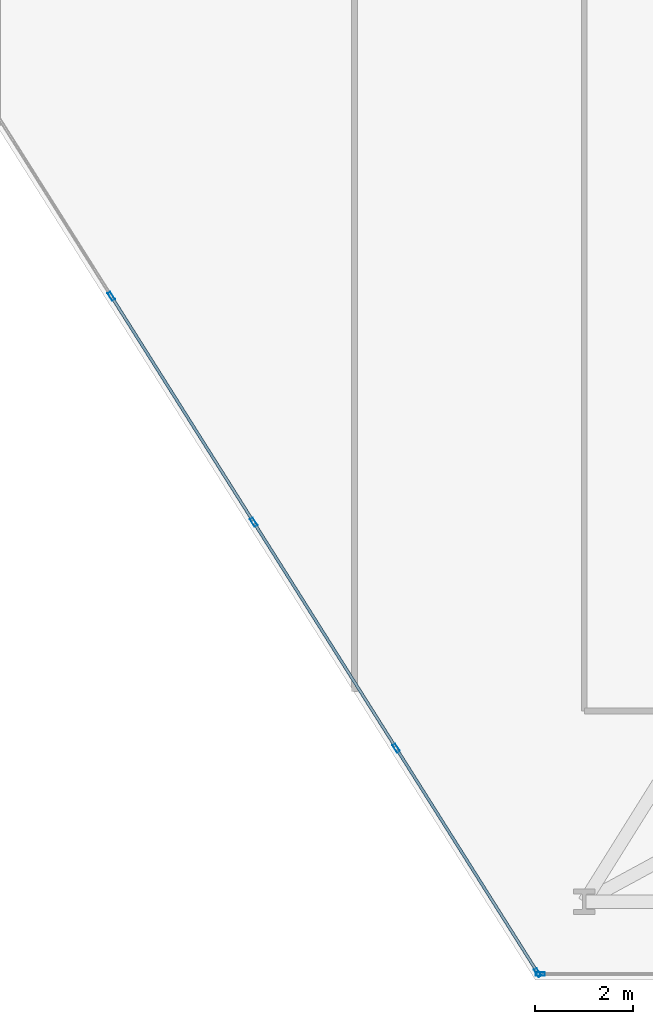
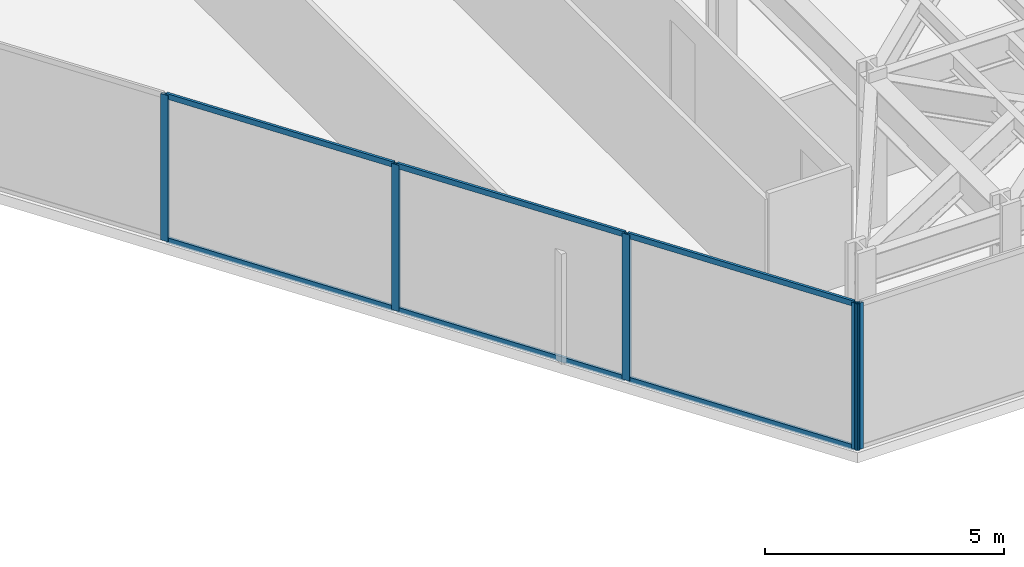
# One storey, part 12 of 24: 11 members, 2 elements without a shape of their own.
"""IFC4 building model written with IfcOpenShell, lengths in metres."""

from ifc_helpers import new_model, si_unit, direction, frame, origin, origin_2d, place, context, subcontext, project, spatial, hollow_rectangle, extrude, material, layer, layer_set, material_profile, profile_set, type_object, element, aggregate, save


model = new_model("IFC4")

# Units and contexts
model_context = context("Model", 3, precision=1e-05, world=origin(), true_north=direction((0.0, 1.0)))
body_context = subcontext(model_context, "Body", "Model", "MODEL_VIEW")
ifc_project = project(units=[si_unit("LENGTHUNIT", "METRE"), si_unit("AREAUNIT", "SQUARE_METRE"), si_unit("VOLUMEUNIT", "CUBIC_METRE"), si_unit("PLANEANGLEUNIT", "RADIAN"), si_unit("MASSUNIT", "GRAM", prefix="KILO")], contexts=[model_context])

# Site, building, storey
site_placement = place(None, origin())
site = spatial("IfcSite", under=ifc_project, at=site_placement, CompositionType="ELEMENT")
building_placement = place(site_placement, origin())
building = spatial("IfcBuilding", under=site, at=building_placement, Name="Kravanh Interchange Tower", CompositionType="ELEMENT")
storey_placement = place(building_placement, frame((0.0, 0.0, 53.5)))
storey = spatial("IfcBuildingStorey", under=building, at=storey_placement, Name="L12", CompositionType="ELEMENT", Elevation=53.5)

# Curtain wall, member
ifc_material_1 = material(Name="Anodised Bronze Aluminium", Category="aluminium")
ifc_layer = layer(ifc_material_1, 0.179931640625)
ifc_layer_set = layer_set([ifc_layer], Name="Unitised Curtain Wall System CW-Z1 Lower Office")
curtain_wall_type = type_object("IfcCurtainWallType", Name="Unitised Curtain Wall System CW-Z1 Lower Office", PredefinedType="NOTDEFINED", material=ifc_layer_set)
curtain_wall_1_placement = place(storey_placement, origin())
curtain_wall_1 = element("IfcCurtainWall", 1, at=curtain_wall_1_placement, inside=storey, type_object=curtain_wall_type, Name="L12 Unitised Curtain Wall CW-L12-03", PredefinedType="NOTDEFINED")
ifc_material_2 = material(Name="Anodised Bronze Aluminium", Category="aluminium")
ifc_material_profile_1 = material_profile(ifc_material_2, hollow_rectangle(XDim=0.070068359375, YDim=0.179931640625, WallThickness=0.00390625, at=origin_2d()), Name="ALU70X180X4")
ifc_profile_set_1 = profile_set([ifc_material_profile_1], Name="Anodised Bronze Aluminium")
member_type_1 = type_object("IfcMemberType", Name="Curtain Wall Mullion ALU70X180X4 Bronze", PredefinedType="MULLION", material=ifc_profile_set_1)
member_1_placement = place(storey_placement, frame((51.601318359375, 1.1201171875, 0.0), z_axis=(0.0, 0.0, 1.0), x_axis=(0.0, -1.0, 0.0)))
member_1 = element("IfcMember", 2, at=member_1_placement, type_object=member_type_1, Name="CW-Z1 mullion 3", PredefinedType="MULLION", context=body_context, shape_type="SweptSolid", body=[
    extrude(hollow_rectangle(XDim=0.070068359375, YDim=0.179931640625, WallThickness=0.00390625, at=origin_2d()), origin(), (0.0, 0.0, 1.0), 3.739990234375),
])
aggregate(curtain_wall_1, [member_1])

# Curtain wall, members
curtain_wall_2_placement = place(storey_placement, origin())
curtain_wall_2 = element("IfcCurtainWall", 3, at=curtain_wall_2_placement, inside=storey, type_object=curtain_wall_type, Name="L12 Unitised Curtain Wall CW-L12-04", PredefinedType="NOTDEFINED")
member_2_placement = place(storey_placement, frame((51.547607421875, 1.149658203125, 0.0), z_axis=(0.0, 0.0, 1.0), x_axis=(-0.845925530786, -0.53330103728, 0.0)))
member_2 = element("IfcMember", 4, at=member_2_placement, type_object=member_type_1, Name="CW-Z1 mullion 1", PredefinedType="MULLION", context=body_context, shape_type="SweptSolid", body=[
    extrude(hollow_rectangle(XDim=0.070068359375, YDim=0.179931640625, WallThickness=0.00390625, at=origin_2d()), origin(), (0.0, 0.0, 1.0), 3.739990234375),
])
member_3_placement = place(storey_placement, frame((48.653076171875, 5.740966796875, 0.0), z_axis=(0.0, 0.0, 1.0), x_axis=(-0.845925530786, -0.53330103728, 0.0)))
member_3 = element("IfcMember", 5, at=member_3_placement, type_object=member_type_1, Name="CW-Z1 mullion 2", PredefinedType="MULLION", context=body_context, shape_type="SweptSolid", body=[
    extrude(hollow_rectangle(XDim=0.070068359375, YDim=0.179931640625, WallThickness=0.00390625, at=origin_2d()), origin(), (0.0, 0.0, 1.0), 3.739990234375),
])
member_4_placement = place(storey_placement, frame((45.73974609375, 10.362060546875, 0.0), z_axis=(0.0, 0.0, 1.0), x_axis=(-0.845925530786, -0.53330103728, 0.0)))
member_4 = element("IfcMember", 6, at=member_4_placement, type_object=member_type_1, Name="CW-Z1 mullion 3", PredefinedType="MULLION", context=body_context, shape_type="SweptSolid", body=[
    extrude(hollow_rectangle(XDim=0.070068359375, YDim=0.179931640625, WallThickness=0.00390625, at=origin_2d()), origin(), (0.0, 0.0, 1.0), 3.739990234375),
])
member_5_placement = place(storey_placement, frame((42.826416015625, 14.98291015625, 0.0), z_axis=(0.0, 0.0, 1.0), x_axis=(-0.845925530786, -0.53330103728, 0.0)))
member_5 = element("IfcMember", 7, at=member_5_placement, type_object=member_type_1, Name="CW-Z1 mullion 4", PredefinedType="MULLION", context=body_context, shape_type="SweptSolid", body=[
    extrude(hollow_rectangle(XDim=0.070068359375, YDim=0.179931640625, WallThickness=0.00390625, at=origin_2d()), origin(), (0.0, 0.0, 1.0), 3.739990234375),
])
ifc_material_3 = material(Name="Anodised Bronze Aluminium", Category="aluminium")
ifc_material_profile_2 = material_profile(ifc_material_3, hollow_rectangle(XDim=0.06005859375, YDim=0.139892578125, WallThickness=0.00390625, at=origin_2d()), Name="ALU60X140X4")
ifc_profile_set_2 = profile_set([ifc_material_profile_2], Name="Anodised Bronze Aluminium")
member_type_2 = type_object("IfcMemberType", Name="Curtain Wall Transom ALU60X140X4 Bronze", PredefinedType="USERDEFINED", material=ifc_profile_set_2)
member_6_placement = place(storey_placement, frame((51.52880859375, 1.17919921875, 0.030029296875), z_axis=(-0.533288163518, 0.845933646719, 0.0), x_axis=(-0.845933646719, -0.533288163518, 0.0)))
member_6 = element("IfcMember", 8, at=member_6_placement, type_object=member_type_2, Name="CW-Z1 transom 1.1", ObjectType="TRANSOM", PredefinedType="USERDEFINED", context=body_context, shape_type="SweptSolid", body=[
    extrude(hollow_rectangle(XDim=0.06005859375, YDim=0.139892578125, WallThickness=0.00390625, at=origin_2d()), origin(), (0.0, 0.0, 1.0), 5.357666015625),
])
member_7_placement = place(storey_placement, frame((51.52880859375, 1.17919921875, 3.7099609375), z_axis=(-0.533288163518, 0.845933646719, 0.0), x_axis=(-0.845933646719, -0.533288163518, 0.0)))
member_7 = element("IfcMember", 9, at=member_7_placement, type_object=member_type_2, Name="CW-Z1 transom 1.2", ObjectType="TRANSOM", PredefinedType="USERDEFINED", context=body_context, shape_type="SweptSolid", body=[
    extrude(hollow_rectangle(XDim=0.06005859375, YDim=0.139892578125, WallThickness=0.00390625, at=origin_2d()), origin(), (0.0, 0.0, 1.0), 5.357666015625),
])
member_8_placement = place(storey_placement, frame((48.63427734375, 5.7705078125, 0.030029296875), z_axis=(-0.533311487456, 0.84591894254, 0.0), x_axis=(-0.84591894254, -0.533311487456, 0.0)))
member_8 = element("IfcMember", 10, at=member_8_placement, type_object=member_type_2, Name="CW-Z1 transom 2.1", ObjectType="TRANSOM", PredefinedType="USERDEFINED", context=body_context, shape_type="SweptSolid", body=[
    extrude(hollow_rectangle(XDim=0.06005859375, YDim=0.139892578125, WallThickness=0.00390625, at=origin_2d()), origin(), (0.0, 0.0, 1.0), 5.392578125),
])
member_9_placement = place(storey_placement, frame((48.63427734375, 5.7705078125, 3.7099609375), z_axis=(-0.533311487456, 0.84591894254, 0.0), x_axis=(-0.84591894254, -0.533311487456, 0.0)))
member_9 = element("IfcMember", 11, at=member_9_placement, type_object=member_type_2, Name="CW-Z1 transom 2.2", ObjectType="TRANSOM", PredefinedType="USERDEFINED", context=body_context, shape_type="SweptSolid", body=[
    extrude(hollow_rectangle(XDim=0.06005859375, YDim=0.139892578125, WallThickness=0.00390625, at=origin_2d()), origin(), (0.0, 0.0, 1.0), 5.392578125),
])
member_10_placement = place(storey_placement, frame((45.720947265625, 10.3916015625, 0.030029296875), z_axis=(-0.533279090152, 0.845939366626, 0.0), x_axis=(-0.845939366626, -0.533279090152, 0.0)))
member_10 = element("IfcMember", 12, at=member_10_placement, type_object=member_type_2, Name="CW-Z1 transom 3.1", ObjectType="TRANSOM", PredefinedType="USERDEFINED", context=body_context, shape_type="SweptSolid", body=[
    extrude(hollow_rectangle(XDim=0.06005859375, YDim=0.139892578125, WallThickness=0.00390625, at=origin_2d()), origin(), (0.0, 0.0, 1.0), 5.392578125),
])
member_11_placement = place(storey_placement, frame((45.720947265625, 10.3916015625, 3.7099609375), z_axis=(-0.533279090152, 0.845939366626, 0.0), x_axis=(-0.845939366626, -0.533279090152, 0.0)))
member_11 = element("IfcMember", 13, at=member_11_placement, type_object=member_type_2, Name="CW-Z1 transom 3.2", ObjectType="TRANSOM", PredefinedType="USERDEFINED", context=body_context, shape_type="SweptSolid", body=[
    extrude(hollow_rectangle(XDim=0.06005859375, YDim=0.139892578125, WallThickness=0.00390625, at=origin_2d()), origin(), (0.0, 0.0, 1.0), 5.392578125),
])
aggregate(curtain_wall_2, [member_2, member_3, member_4, member_5, member_6, member_7, member_8, member_9, member_10, member_11])

save(model, "model.ifc")
